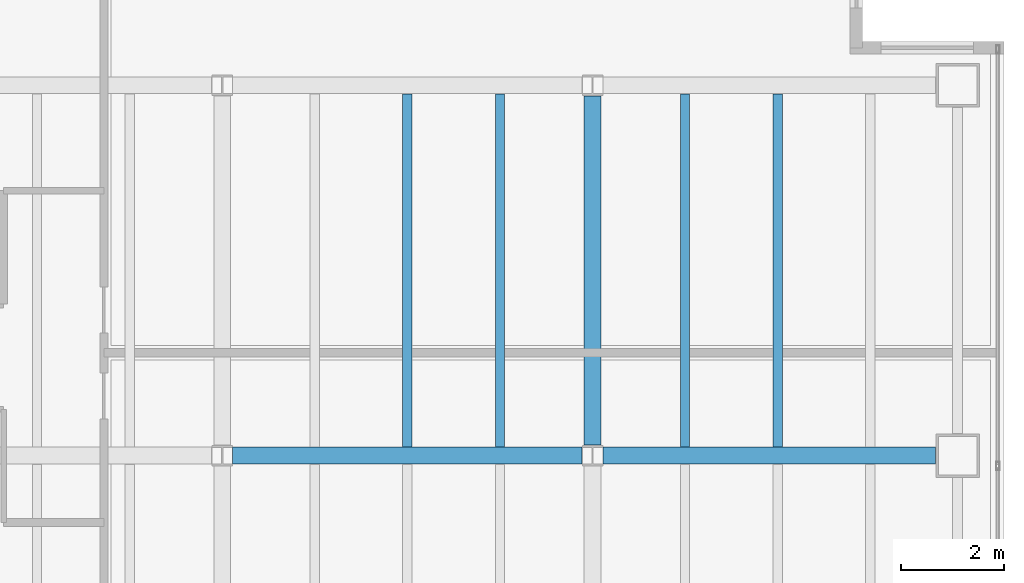
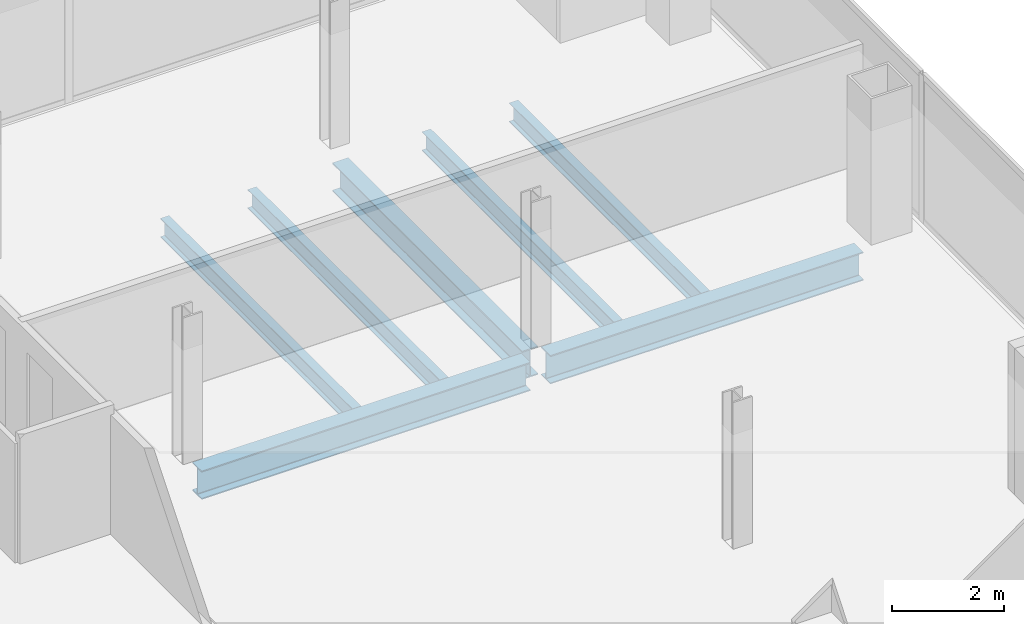
# One storey, part 13 of 23: 7 beams.
"""IFC4 building model written with IfcOpenShell, lengths in metres."""

from ifc_helpers import new_model, si_unit, direction, frame, origin, origin_2d, place, context, subcontext, project, spatial, i_section, extrude, material, material_profile, profile_set, type_object, element, save


model = new_model("IFC4")

# Units and contexts
model_context = context("Model", 3, precision=1e-05, world=origin(), true_north=direction((0.0, 1.0)))
body_context = subcontext(model_context, "Body", "Model", "MODEL_VIEW")
ifc_project = project(units=[si_unit("LENGTHUNIT", "METRE"), si_unit("AREAUNIT", "SQUARE_METRE"), si_unit("VOLUMEUNIT", "CUBIC_METRE"), si_unit("PLANEANGLEUNIT", "RADIAN"), si_unit("MASSUNIT", "GRAM", prefix="KILO")], contexts=[model_context])

# Site, building, storey
site_placement = place(None, origin())
site = spatial("IfcSite", under=ifc_project, at=site_placement, CompositionType="ELEMENT")
building_placement = place(site_placement, origin())
building = spatial("IfcBuilding", under=site, at=building_placement, Name="Cobrela Telecom Tower", CompositionType="ELEMENT")
storey_placement = place(building_placement, frame((0.0, 0.0, 176.75)))
storey = spatial("IfcBuildingStorey", under=building, at=storey_placement, Name="L44", CompositionType="ELEMENT", Elevation=176.75)

# Beams
ifc_material = material(Name="Steel ASTM A992 Grade 50", Category="steel")
ifc_material_profile_1 = material_profile(ifc_material, i_section(OverallWidth=0.327880859375, OverallDepth=0.6220703125, WebThickness=0.015380859375, FlangeThickness=0.0244140625, FilletRadius=0.014892578125, at=origin_2d()), Name="W24X131")
ifc_profile_set_1 = profile_set([ifc_material_profile_1], Name="Steel ASTM A992 Grade 50")
beam_type_1 = type_object("IfcBeamType", Name="BM-GIRD-06", PredefinedType="USERDEFINED", material=ifc_profile_set_1)
beam_1_placement = place(storey_placement, frame((29.00439453125, 14.39990234375, -0.571044921875), z_axis=(1.0, 0.0, 0.0), x_axis=(0.0, 1.0, 0.0)))
element("IfcBeam", 1, at=beam_1_placement, inside=storey, type_object=beam_type_1, Name="L44 Primary Girder X13", ObjectType="GIRDER", PredefinedType="USERDEFINED", context=body_context, shape_type="SweptSolid", body=[
    extrude(i_section(OverallWidth=0.327880859375, OverallDepth=0.6220703125, WebThickness=0.015380859375, FlangeThickness=0.0244140625, FilletRadius=0.014892578125, at=origin_2d()), origin(), (0.0, 0.0, 1.0), 6.791015625),
])
beam_2_placement = place(storey_placement, frame((36.20458984375, 14.39990234375, -0.571044921875), z_axis=(1.0, 0.0, 0.0), x_axis=(0.0, 1.0, 0.0)))
element("IfcBeam", 2, at=beam_2_placement, inside=storey, type_object=beam_type_1, Name="L44 Primary Girder X14", ObjectType="GIRDER", PredefinedType="USERDEFINED", context=body_context, shape_type="SweptSolid", body=[
    extrude(i_section(OverallWidth=0.327880859375, OverallDepth=0.6220703125, WebThickness=0.015380859375, FlangeThickness=0.0244140625, FilletRadius=0.014892578125, at=origin_2d()), origin(), (0.0, 0.0, 1.0), 6.46533203125),
])
beam_3_placement = place(storey_placement, frame((36.0, 14.6044921875, -0.571044921875), z_axis=(0.0, 1.0, 0.0), x_axis=(-1.0, 0.0, 0.0)))
element("IfcBeam", 3, at=beam_3_placement, inside=storey, type_object=beam_type_1, Name="L44 Primary Girder Y41", ObjectType="GIRDER", PredefinedType="USERDEFINED", context=body_context, shape_type="SweptSolid", body=[
    extrude(i_section(OverallWidth=0.327880859375, OverallDepth=0.6220703125, WebThickness=0.015380859375, FlangeThickness=0.0244140625, FilletRadius=0.014892578125, at=origin_2d()), origin(), (0.0, 0.0, 1.0), 6.791015625),
])
ifc_material_profile_2 = material_profile(ifc_material, i_section(OverallWidth=0.179931640625, OverallDepth=0.4169921875, WebThickness=0.010986328125, FlangeThickness=0.01806640625, FilletRadius=0.011962890625, at=origin_2d()), Name="W16X57")
ifc_profile_set_2 = profile_set([ifc_material_profile_2], Name="Steel ASTM A992 Grade 50")
beam_type_2 = type_object("IfcBeamType", Name="BM-JOIST-04", PredefinedType="JOIST", material=ifc_profile_set_2)
for number, where, z_axis, x_axis, name in (
    (4, (32.39990234375, 14.569091796875, -0.468505859375), (0.0, 1.0, 0.0), (-1.0, 0.0, 0.0), "L44 Secondary Composite Floor Beam J22"),
    (5, (34.199951171875, 14.569091796875, -0.468505859375), (0.0, 1.0, 0.0), (-1.0, 0.0, 0.0), "L44 Secondary Composite Floor Beam J24"),
    (6, (37.800048828125, 14.569091796875, -0.468505859375), (0.0, 1.0, 0.0), (-1.0, 0.0, 0.0), "L44 Secondary Composite Floor Beam J26"),
    (7, (39.60009765625, 14.569091796875, -0.468505859375), (0.0, 1.0, 0.0), (-1.0, 0.0, 0.0), "L44 Secondary Composite Floor Beam J28"),
):
    element("IfcBeam", number, at=place(storey_placement, frame(where, z_axis=z_axis, x_axis=x_axis)), inside=storey, type_object=beam_type_2, Name=name, PredefinedType="JOIST", context=body_context, shape_type="SweptSolid", body=[
        extrude(i_section(OverallWidth=0.179931640625, OverallDepth=0.4169921875, WebThickness=0.010986328125, FlangeThickness=0.01806640625, FilletRadius=0.011962890625, at=origin_2d()), origin(), (0.0, 0.0, 1.0), 6.86181640625),
    ])

save(model, "model.ifc")
